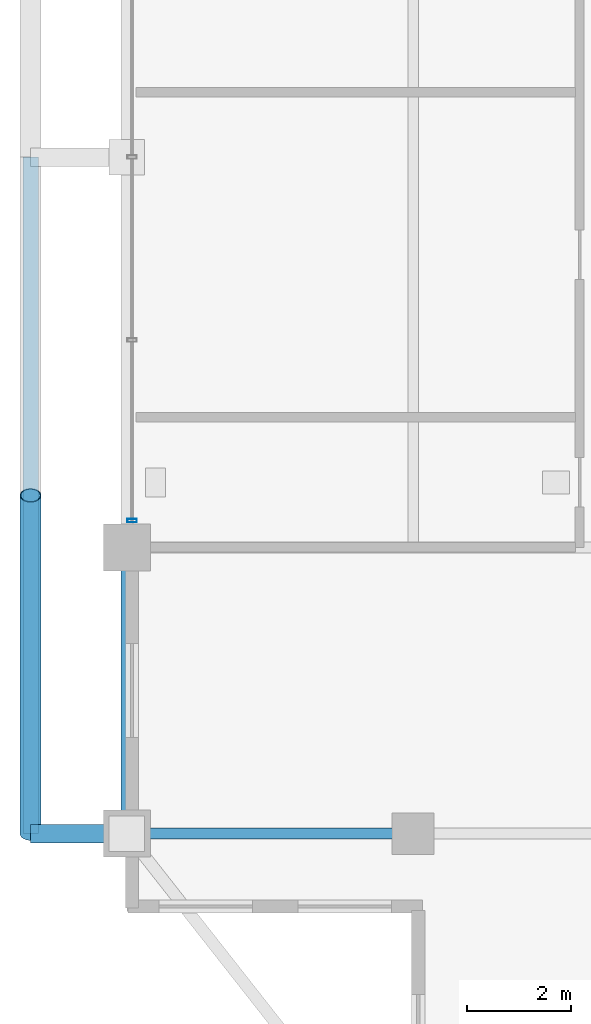
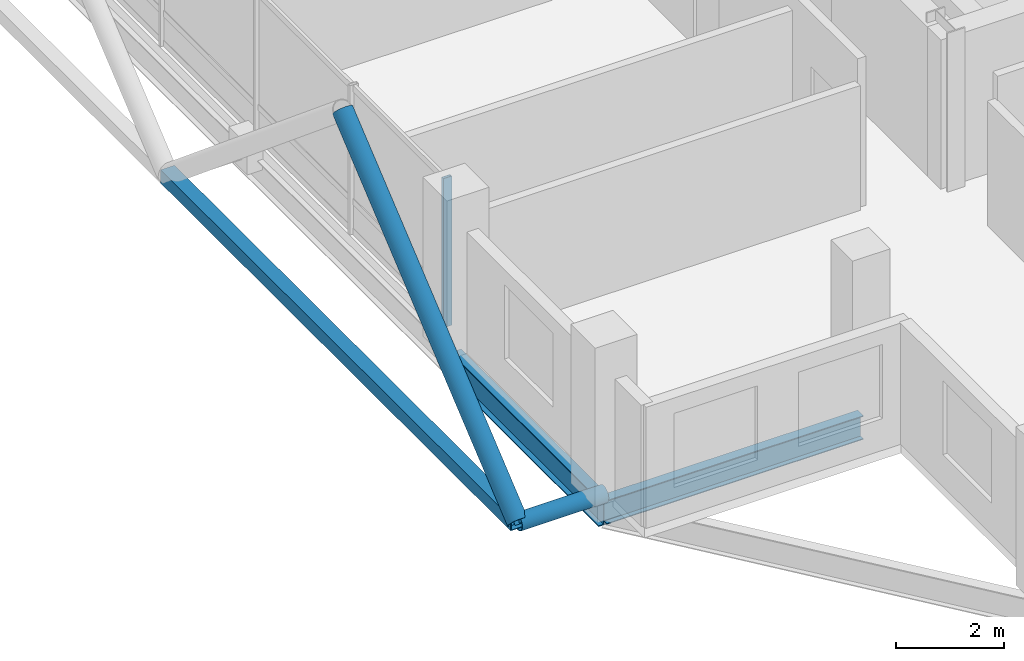
# One storey, part 3 of 24: 4 members, 2 beams, 1 element without a shape of its own.
"""IFC4 building model written with IfcOpenShell, lengths in metres."""

import ifcopenshell
import ifcopenshell.guid

model = None  # the IFC model being written
_history = None  # IfcOwnerHistory: only IFC2X3 demands one
_inside = {}  # id of a spatial element -> (the spatial element, [elements in it])
_under = {}  # id of a project, library or spatial element -> (it, [spatial elements below it])
_declared = {}  # id of a project -> (the project, [libraries it declares])
_typed = {}  # id of a type object -> (the type object, [elements of that type])
_made_of = {}  # id of a material, layer set ... -> (it, [elements and type objects made of it])


def new_model(schema):
    """Start an empty IFC model of exactly this schema.

    Asked for "IFC4X3", IfcOpenShell would pick the latest addendum, in which some entities
    have other attributes; the version numbers below select the first issue.
    IFC2X3 requires an IfcOwnerHistory on every rooted entity: one is made here for all.
    """
    global model, _history
    if schema == "IFC4X3":
        model = ifcopenshell.file(schema_version=(4, 3, 0, 0))
    else:
        model = ifcopenshell.file(schema=schema)
    _inside.clear()
    _under.clear()
    _declared.clear()
    _typed.clear()
    _made_of.clear()
    _history = None
    if model.schema == "IFC2X3":
        org = make("IfcOrganization", Name="unknown")
        user = make(
            "IfcPersonAndOrganization",
            ThePerson=make("IfcPerson", FamilyName="unknown"),
            TheOrganization=org,
        )
        app = make(
            "IfcApplication",
            ApplicationDeveloper=org,
            Version="unknown",
            ApplicationFullName="unknown",
            ApplicationIdentifier="unknown",
        )
        _history = make(
            "IfcOwnerHistory",
            OwningUser=user,
            OwningApplication=app,
            ChangeAction="ADDED",
            CreationDate=0,
        )
    return model


def make(cls, **values):
    """One entity of the class cls with the attributes given. An attribute that is None is left unset."""
    return model.create_entity(
        cls, **{name: value for name, value in values.items() if value is not None}
    )


def rooted(cls, **values):
    """An entity with a GlobalId (a new one), such as an element, a storey or a relation."""
    return make(cls, GlobalId=ifcopenshell.guid.new(), OwnerHistory=_history, **values)


def si_unit(unit_type, name, prefix=None):
    """IfcSIUnit, for example si_unit("LENGTHUNIT", "METRE", prefix="MILLI")."""
    return make("IfcSIUnit", UnitType=unit_type, Prefix=prefix, Name=name)


def assignment(units):
    """IfcUnitAssignment: the units of a project."""
    return None if units is None else make("IfcUnitAssignment", Units=units)


def point(xyz):
    """IfcCartesianPoint."""
    return None if xyz is None else make("IfcCartesianPoint", Coordinates=xyz)


def direction(xyz):
    """IfcDirection."""
    return None if xyz is None else make("IfcDirection", DirectionRatios=xyz)


def frame(location, z_axis=None, x_axis=None):
    """IfcAxis2Placement3D, a coordinate frame: its origin and axes. An axis left out is left unset."""
    return make(
        "IfcAxis2Placement3D",
        Location=point(location),
        Axis=direction(z_axis),
        RefDirection=direction(x_axis),
    )


def frame_2d(location, x_axis=None):
    """IfcAxis2Placement2D, a coordinate frame in the plane: its origin and x axis."""
    return make(
        "IfcAxis2Placement2D", Location=point(location), RefDirection=direction(x_axis)
    )


def origin():
    """The frame at (0, 0, 0) with its axes left unset."""
    return frame((0.0, 0.0, 0.0))


def origin_2d():
    """The frame at (0, 0) in the plane with its x axis left unset."""
    return frame_2d((0.0, 0.0))


def place(relative_to, where):
    """IfcLocalPlacement: puts the frame where relative to a parent placement (None: the world)."""
    return make(
        "IfcLocalPlacement", PlacementRelTo=relative_to, RelativePlacement=where
    )


def context(
    kind, dimensions, precision=None, world=None, true_north=None, identifier=None
):
    """IfcGeometricRepresentationContext, for example the 3D "Model" context."""
    return make(
        "IfcGeometricRepresentationContext",
        ContextIdentifier=identifier,
        ContextType=kind,
        CoordinateSpaceDimension=dimensions,
        Precision=precision,
        WorldCoordinateSystem=world,
        TrueNorth=true_north,
    )


def subcontext(parent, identifier, kind, view, scale=None):
    """IfcGeometricRepresentationSubContext, for example "Body" below "Model"."""
    return make(
        "IfcGeometricRepresentationSubContext",
        ContextIdentifier=identifier,
        ContextType=kind,
        ParentContext=parent,
        TargetScale=scale,
        TargetView=view,
    )


def project(units=None, contexts=None):
    """IfcProject with its units and contexts."""
    return rooted(
        "IfcProject",
        Name="project",
        RepresentationContexts=contexts,
        UnitsInContext=assignment(units),
    )


def spatial(cls, under=None, at=None, **own):
    """A site, building, storey or space (cls), placed at a placement, below another one or the project."""
    s = rooted(cls, ObjectPlacement=at, **own)
    if under is not None:
        _under.setdefault(under.id(), (under, []))[1].append(s)
    return s


def profile(cls, at=None, kind="AREA", **sizes):
    """A parametric profile (cls). Its sizes go by their IFC names, for example OverallWidth=200.0."""
    return make(cls, ProfileType=kind, Position=at, **sizes)


def hollow_rectangle(**sizes):
    """IfcRectangleHollowProfileDef."""
    return profile("IfcRectangleHollowProfileDef", **sizes)


def hollow_circle(**sizes):
    """IfcCircleHollowProfileDef."""
    return profile("IfcCircleHollowProfileDef", **sizes)


def i_section(**sizes):
    """IfcIShapeProfileDef."""
    return profile("IfcIShapeProfileDef", **sizes)


def extrude(swept, where, along, depth):
    """IfcExtrudedAreaSolid: the profile swept, set in the frame where, extruded along a direction by depth."""
    return make(
        "IfcExtrudedAreaSolid",
        SweptArea=swept,
        Position=where,
        ExtrudedDirection=direction(along),
        Depth=depth,
    )


def shape(context_of_items, identifier, shape_type, items):
    """IfcShapeRepresentation: the items that make up one representation, for example the "Body"."""
    return make(
        "IfcShapeRepresentation",
        ContextOfItems=context_of_items,
        RepresentationIdentifier=identifier,
        RepresentationType=shape_type,
        Items=items,
    )


def material(Name=None, Category=None):
    """IfcMaterial."""
    return make("IfcMaterial", Name=Name, Category=Category)


def layer(
    of_material, thickness, ventilated=None, Name=None, Category=None, Priority=None
):
    """IfcMaterialLayer: one layer of a wall or slab, of a material (None: an air gap)."""
    return make(
        "IfcMaterialLayer",
        Material=of_material,
        LayerThickness=thickness,
        IsVentilated=ventilated,
        Name=Name,
        Category=Category,
        Priority=Priority,
    )


def layer_set(layers, Name=None):
    """IfcMaterialLayerSet."""
    return make("IfcMaterialLayerSet", MaterialLayers=layers, LayerSetName=Name)


def material_profile(
    of_material, cross_section, Name=None, Category=None, Priority=None
):
    """IfcMaterialProfile: a cross section and its material."""
    return make(
        "IfcMaterialProfile",
        Name=Name,
        Material=of_material,
        Profile=cross_section,
        Priority=Priority,
        Category=Category,
    )


def profile_set(profiles, Name=None, composite=None):
    """IfcMaterialProfileSet."""
    return make(
        "IfcMaterialProfileSet",
        Name=Name,
        MaterialProfiles=profiles,
        CompositeProfile=composite,
    )


def made_of(thing, what):
    """Note that an element or type object is made of a material, layer set ...; save() writes the relation."""
    if what is not None:
        _made_of.setdefault(what.id(), (what, []))[1].append(thing)
    return thing


def type_object(cls, material=None, **own):
    """A type object (cls), such as IfcWallType, which elements share."""
    return made_of(rooted(cls, **own), material)


def element(
    cls,
    number,
    at=None,
    inside=None,
    cuts=None,
    type_object=None,
    material=None,
    context=None,
    identifier="Body",
    shape_type=None,
    held_by="IfcProductDefinitionShape",
    body=None,
    shapes=None,
    **own,
):
    """One element of the class cls, such as IfcWall. Its Tag is "e" and its number.

    at: its placement. inside: the storey or other place that contains it. cuts: it is an
    opening in that element (IfcRelVoidsElement). A single representation is given by context,
    identifier, shape_type and body (its items); several are given by shapes. held_by: the class
    of the entity that holds the representations. save() writes the other relations.
    """
    e = rooted(cls, Tag="e%d" % number, ObjectPlacement=at, **own)
    if body is not None:
        shapes = [shape(context, identifier, shape_type, body)]
    if shapes is not None:
        e.Representation = make(held_by, Representations=shapes)
    if inside is not None:
        _inside.setdefault(inside.id(), (inside, []))[1].append(e)
    if cuts is not None:
        rooted(
            "IfcRelVoidsElement", RelatingBuildingElement=cuts, RelatedOpeningElement=e
        )
    if type_object is not None:
        _typed.setdefault(type_object.id(), (type_object, []))[1].append(e)
    return made_of(e, material)


def aggregate(whole, parts):
    """IfcRelAggregates: a whole, such as a stair, and the parts it consists of."""
    return rooted("IfcRelAggregates", RelatingObject=whole, RelatedObjects=parts)


def save(model, path):
    """Write the relations noted so far, then the file.

    IfcRelAggregates (storeys below a building ...), IfcRelContainedInSpatialStructure (elements
    in a storey), IfcRelDefinesByType, IfcRelAssociatesMaterial and IfcRelDeclares: one each for
    every whole, place, type object, material and project.
    """
    for whole, parts in _under.values():
        aggregate(whole, parts)
    for where, things in _inside.values():
        rooted(
            "IfcRelContainedInSpatialStructure",
            RelatedElements=things,
            RelatingStructure=where,
        )
    for kind, things in _typed.values():
        rooted("IfcRelDefinesByType", RelatedObjects=things, RelatingType=kind)
    for what, things in _made_of.values():
        rooted("IfcRelAssociatesMaterial", RelatedObjects=things, RelatingMaterial=what)
    for by, libraries in _declared.values():
        rooted("IfcRelDeclares", RelatingContext=by, RelatedDefinitions=libraries)
    model.write(path)


model = new_model("IFC4")

# Units and contexts
model_context = context("Model", 3, precision=1e-05, world=origin(), true_north=direction((0.0, 1.0)))
body_context = subcontext(model_context, "Body", "Model", "MODEL_VIEW")
ifc_project = project(units=[si_unit("LENGTHUNIT", "METRE"), si_unit("AREAUNIT", "SQUARE_METRE"), si_unit("VOLUMEUNIT", "CUBIC_METRE"), si_unit("PLANEANGLEUNIT", "RADIAN"), si_unit("MASSUNIT", "GRAM", prefix="KILO")], contexts=[model_context])

# Site, building, storey
site_placement = place(None, origin())
site = spatial("IfcSite", under=ifc_project, at=site_placement, CompositionType="ELEMENT")
building_placement = place(site_placement, origin())
building = spatial("IfcBuilding", under=site, at=building_placement, Name="Barlavira Tower and Art Museum", CompositionType="ELEMENT")
storey_placement = place(building_placement, frame((0.0, 0.0, 283.5)))
storey = spatial("IfcBuildingStorey", under=building, at=storey_placement, Name="L74", CompositionType="ELEMENT", Elevation=283.5)

# Curtain wall, member
ifc_material_1 = material(Name="Low-iron coastal laminated glass", Category="glass")
ifc_layer = layer(ifc_material_1, 0.2099609375, Name="Low-iron coastal laminated glass")
ifc_layer_set = layer_set([ifc_layer], Name="Low-iron coastal laminated glass")
curtain_wall_type = type_object("IfcCurtainWallType", Name="Pale-Metal Unitised Curtain Wall Zone 4", PredefinedType="NOTDEFINED", material=ifc_layer_set)
curtain_wall_placement = place(storey_placement, origin())
curtain_wall = element("IfcCurtainWall", 1, at=curtain_wall_placement, inside=storey, type_object=curtain_wall_type, Name="L74 Curtain Wall CW4-L74-W-B3", PredefinedType="NOTDEFINED")
ifc_material_2 = material(Name="Pale anodised aluminium", Category="aluminium")
ifc_material_profile_1 = material_profile(ifc_material_2, hollow_rectangle(XDim=0.06494140625, YDim=0.179931640625, WallThickness=0.00390625, at=origin_2d()), Name="ALU-MULL 65x180x4")
ifc_profile_set_1 = profile_set([ifc_material_profile_1], Name="Pale anodised aluminium")
member_type_1 = type_object("IfcMemberType", Name="Curtain Wall Pale-Metal Mullion 65x180", PredefinedType="MULLION", material=ifc_profile_set_1)
member_1_placement = place(storey_placement, frame((-16.89990234375, -6.985107421875, 0.0), z_axis=(0.0, 0.0, 1.0), x_axis=(0.0, -1.0, 0.0)))
member_1 = element("IfcMember", 2, at=member_1_placement, type_object=member_type_1, Name="CW4-L74-W-B3 Mullion 4", PredefinedType="MULLION", context=body_context, shape_type="SweptSolid", body=[
    extrude(hollow_rectangle(XDim=0.06494140625, YDim=0.179931640625, WallThickness=0.00390625, at=origin_2d()), origin(), (0.0, 0.0, 1.0), 3.3798828125),
])
aggregate(curtain_wall, [member_1])

# Members
ifc_material_3 = material(Name="Steel S355", Category="steel")
ifc_material_profile_2 = material_profile(ifc_material_3, hollow_circle(Radius=0.203125, WallThickness=0.01611328125, at=origin_2d()), Name="CHS 406.4x16.0")
ifc_profile_set_2 = profile_set([ifc_material_profile_2], Name="Steel S355")
member_type_2 = type_object("IfcMemberType", Name="Pale-Metal Exoskeleton Diagrid Tube CHS 406x16 Steel S355", PredefinedType="BRACE", material=ifc_profile_set_2)
member_2_placement = place(storey_placement, frame((-18.85009765625, -13.0, -0.1201171875), z_axis=(0.0, 0.76918185268, 0.639029950399), x_axis=(-1.0, 0.0, 0.0)))
element("IfcMember", 3, at=member_2_placement, inside=storey, type_object=member_type_2, Name="L74 Exoskeleton Diagrid Tube W", PredefinedType="BRACE", context=body_context, shape_type="SweptSolid", body=[
    extrude(hollow_circle(Radius=0.203125, WallThickness=0.01611328125, at=origin_2d()), origin(), (0.0, 0.0, 1.0), 8.450439453125),
])
ifc_material_profile_3 = material_profile(ifc_material_3, hollow_circle(Radius=0.177734375, WallThickness=0.01611328125, at=origin_2d()), Name="CHS 355.6x16.0")
ifc_profile_set_3 = profile_set([ifc_material_profile_3], Name="Steel S355")
member_type_3 = type_object("IfcMemberType", Name="Pale-Metal Exoskeleton Tie Strut CHS 356x16 Steel S355", PredefinedType="STRUT", material=ifc_profile_set_3)
member_3_placement = place(storey_placement, frame((-18.85009765625, -13.0, -0.1201171875), z_axis=(1.0, 0.0, 0.0), x_axis=(0.0, 1.0, 0.0)))
element("IfcMember", 4, at=member_3_placement, inside=storey, type_object=member_type_3, Name="L74 Exoskeleton Tie Strut W1", PredefinedType="STRUT", context=body_context, shape_type="SweptSolid", body=[
    extrude(hollow_circle(Radius=0.177734375, WallThickness=0.01611328125, at=origin_2d()), origin(), (0.0, 0.0, 1.0), 1.85009765625),
])
ifc_material_profile_4 = material_profile(ifc_material_3, hollow_rectangle(XDim=0.300048828125, YDim=0.300048828125, WallThickness=0.01611328125, at=origin_2d()), Name="SHS 300x300x16.0")
ifc_profile_set_4 = profile_set([ifc_material_profile_4], Name="Steel S355")
member_type_4 = type_object("IfcMemberType", Name="Pale-Metal Upper Ring Strut SHS 300x300x16 Steel S355", PredefinedType="STRUT", material=ifc_profile_set_4)
member_4_placement = place(storey_placement, frame((-18.85009765625, -13.0, -0.1201171875), z_axis=(0.0, 1.0, 0.0), x_axis=(-1.0, 0.0, 0.0)))
element("IfcMember", 5, at=member_4_placement, inside=storey, type_object=member_type_4, Name="L74 Exoskeleton Ring Strut W", PredefinedType="STRUT", context=body_context, shape_type="SweptSolid", body=[
    extrude(hollow_rectangle(XDim=0.300048828125, YDim=0.300048828125, WallThickness=0.01611328125, at=origin_2d()), origin(), (0.0, 0.0, 1.0), 13.0),
])

# Beams
ifc_material_profile_5 = material_profile(ifc_material_3, i_section(OverallWidth=0.22998046875, OverallDepth=0.616943359375, WebThickness=0.01318359375, FlangeThickness=0.022216796875, at=origin_2d()), Name="W610x140.0")
ifc_profile_set_5 = profile_set([ifc_material_profile_5], Name="Steel S355")
beam_type_1 = type_object("IfcBeamType", Name="Upper Shaft Spandrel Edge Beam W610x140 Steel S355", PredefinedType="SPANDREL", material=ifc_profile_set_5)
beam_1_placement = place(storey_placement, frame((-17.0, -13.0, -0.528564453125), z_axis=(0.0, 1.0, 0.0), x_axis=(-1.0, 0.0, 0.0)))
element("IfcBeam", 6, at=beam_1_placement, inside=storey, type_object=beam_type_1, Name="L74 Spandrel 15", PredefinedType="SPANDREL", context=body_context, shape_type="SweptSolid", body=[
    extrude(i_section(OverallWidth=0.22998046875, OverallDepth=0.616943359375, WebThickness=0.01318359375, FlangeThickness=0.022216796875, at=origin_2d()), origin(), (0.0, 0.0, 1.0), 5.5),
])
ifc_material_profile_6 = material_profile(ifc_material_3, i_section(OverallWidth=0.2109375, OverallDepth=0.5390625, WebThickness=0.01171875, FlangeThickness=0.018798828125, at=origin_2d()), Name="W530x109.0")
ifc_profile_set_6 = profile_set([ifc_material_profile_6], Name="Steel S355")
beam_type_2 = type_object("IfcBeamType", Name="Zone 3-4 Primary Floor Girder W530x109 Steel S355", PredefinedType="BEAM", material=ifc_profile_set_6)
beam_2_placement = place(storey_placement, frame((-17.0, -13.0, -0.489501953125), z_axis=(1.0, 0.0, 0.0), x_axis=(0.0, 1.0, 0.0)))
element("IfcBeam", 7, at=beam_2_placement, inside=storey, type_object=beam_type_2, Name="L74 Girder I-S1", PredefinedType="BEAM", context=body_context, shape_type="SweptSolid", body=[
    extrude(i_section(OverallWidth=0.2109375, OverallDepth=0.5390625, WebThickness=0.01171875, FlangeThickness=0.018798828125, at=origin_2d()), origin(), (0.0, 0.0, 1.0), 5.5),
])

save(model, "model.ifc")
